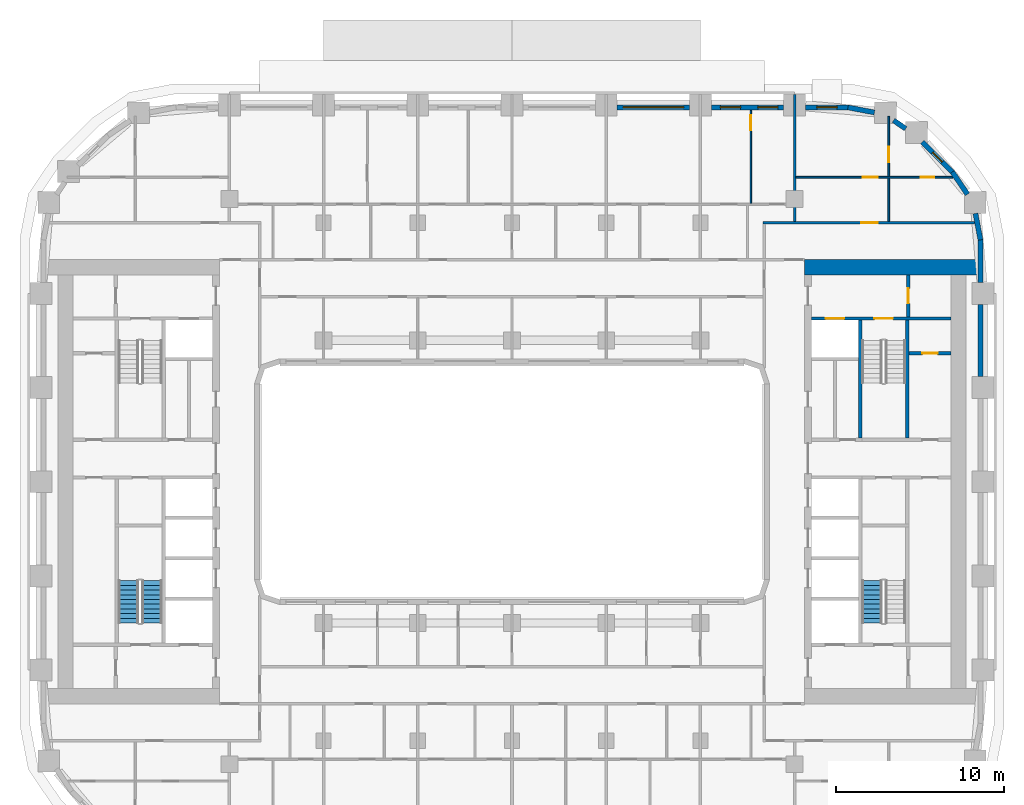
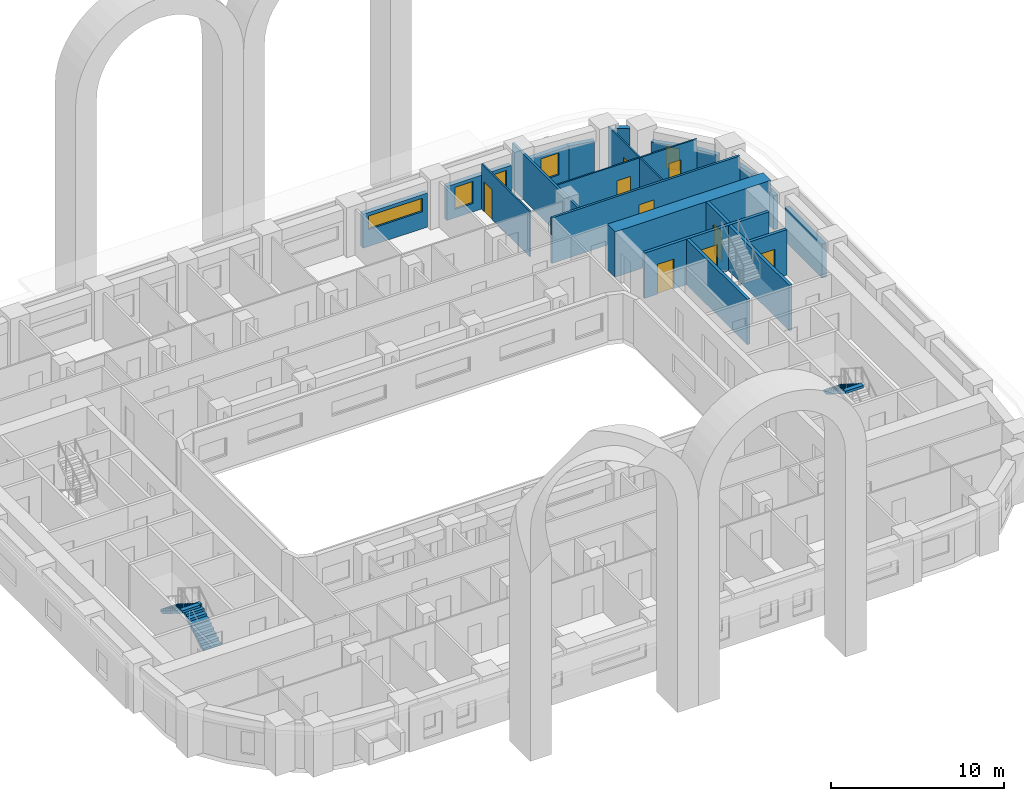
# One storey, part 10 of 19: 22 walls, 9 doors, 5 windows, 3 stair flights, 14 openings, 2 elements without a shape of their own.
"""IFC4 building model written with IfcOpenShell, lengths in metres."""

from ifc_helpers import new_model, si_unit, direction, frame, frame_2d, origin, place, context, subcontext, project, spatial, polyline, rectangle, outline, extrude, material, layer, layer_set, type_object, element, fill, aggregate, save


model = new_model("IFC4")

# Units and contexts
model_context = context("Model", 3, precision=1e-05, world=origin(), true_north=direction((0.0, 1.0)))
body_context = subcontext(model_context, "Body", "Model", "MODEL_VIEW")
ifc_project = project(units=[si_unit("LENGTHUNIT", "METRE"), si_unit("AREAUNIT", "SQUARE_METRE"), si_unit("VOLUMEUNIT", "CUBIC_METRE"), si_unit("PLANEANGLEUNIT", "RADIAN"), si_unit("MASSUNIT", "GRAM", prefix="KILO")], contexts=[model_context])

# Site, building, storey
site_placement = place(None, origin())
site = spatial("IfcSite", under=ifc_project, at=site_placement, CompositionType="ELEMENT")
building_placement = place(site_placement, origin())
building = spatial("IfcBuilding", under=site, at=building_placement, Name="Kiln Ring Residences", CompositionType="ELEMENT")
storey_placement = place(building_placement, frame((0.0, 0.0, 104.300048828125)))
storey = spatial("IfcBuildingStorey", under=building, at=storey_placement, Name="L26", CompositionType="ELEMENT", Elevation=104.300048828125)

# Wall, opening, door
ifc_material_1 = material(Name="Gypsum board on steel studs", Category="steel")
ifc_layer_1 = layer(ifc_material_1, 0.199951171875)
ifc_layer_set_1 = layer_set([ifc_layer_1], Name="CORE-PARTITION-200")
wall_type_1 = type_object("IfcWallType", Name="CORE-PARTITION-200", PredefinedType="PARTITIONING", material=ifc_layer_set_1)
wall_1_placement = place(storey_placement, frame((23.550048828125, 9.800048828125, 0.0), z_axis=(0.0, 0.0, 1.0), x_axis=(0.0, 1.0, 0.0)))
wall_1 = element("IfcWall", 1, at=wall_1_placement, inside=storey, type_object=wall_type_1, Name="Core partition east L26 4", PredefinedType="PARTITIONING", context=body_context, shape_type="SweptSolid", body=[
    extrude(rectangle(XDim=2.5, YDim=0.199951171875, at=frame_2d((1.25, 0.0))), origin(), (0.0, 0.0, 1.0), 3.199951171875),
])
opening_1_placement = place(wall_1_placement, frame((0.800048828125, 0.0, 0.0)))
opening_1 = element("IfcOpeningElement", 2, at=opening_1_placement, cuts=wall_1, Name="Opening L26-CE10", PredefinedType="OPENING", context=body_context, shape_type="SweptSolid", body=[
    extrude(rectangle(XDim=0.89990234375, YDim=2.10009765625, at=frame_2d((0.449951171875, 1.050048828125))), frame((0.0, 0.10986328125, 0.0), z_axis=(0.0, -1.0, 0.0), x_axis=(1.0, 0.0, 0.0)), (0.0, 0.0, 1.0), 0.219970703125),
])
ifc_material_2 = material(Name="Steel door leaf", Category="steel")
door_type_1 = type_object("IfcDoorType", Name="CORE-DOOR-ROOM", OperationType="SINGLE_SWING_LEFT", PredefinedType="DOOR", material=ifc_material_2)
door_1_placement = place(opening_1_placement, origin())
door_1 = element("IfcDoor", 3, at=door_1_placement, inside=storey, type_object=door_type_1, Name="Fire riser room L26-CE10", OperationType="SINGLE_SWING_LEFT", OverallHeight=2.10009765625, OverallWidth=0.89990234375, PredefinedType="DOOR", context=body_context, shape_type="SweptSolid", body=[
    extrude(rectangle(XDim=0.89990234375, YDim=2.10009765625, at=frame_2d((0.449951171875, 1.050048828125))), frame((0.0, 0.02490234375, 0.0), z_axis=(0.0, -1.0, 0.0), x_axis=(1.0, 0.0, 0.0)), (0.0, 0.0, 1.0), 0.050048828125),
])
fill(opening_1, door_1)

wall_2_placement = place(storey_placement, frame((23.60009765625, 7.639892578125, 0.0), z_axis=(0.0, 0.0, 1.0), x_axis=(1.0, 0.0, 0.0)))
wall_2 = element("IfcWall", 4, at=wall_2_placement, inside=storey, type_object=wall_type_1, Name="Core partition east L26 6", PredefinedType="PARTITIONING", context=body_context, shape_type="SweptSolid", body=[
    extrude(rectangle(XDim=2.5, YDim=0.199951171875, at=frame_2d((1.25, 0.0))), origin(), (0.0, 0.0, 1.0), 3.199951171875),
])
opening_2_placement = place(wall_2_placement, frame((0.800048828125, 0.0, 0.0)))
opening_2 = element("IfcOpeningElement", 5, at=opening_2_placement, cuts=wall_2, Name="Opening L26-CE17", PredefinedType="OPENING", context=body_context, shape_type="SweptSolid", body=[
    extrude(rectangle(XDim=0.89990234375, YDim=2.10009765625, at=frame_2d((0.449951171875, 1.050048828125))), frame((0.0, 0.10986328125, 0.0), z_axis=(0.0, -1.0, 0.0), x_axis=(1.0, 0.0, 0.0)), (0.0, 0.0, 1.0), 0.219970703125),
])
door_2_placement = place(opening_2_placement, origin())
door_2 = element("IfcDoor", 6, at=door_2_placement, inside=storey, type_object=door_type_1, Name="UPS room L26-CE17", OperationType="SINGLE_SWING_LEFT", OverallHeight=2.10009765625, OverallWidth=0.89990234375, PredefinedType="DOOR", context=body_context, shape_type="SweptSolid", body=[
    extrude(rectangle(XDim=0.89990234375, YDim=2.10009765625, at=frame_2d((0.449951171875, 1.050048828125))), frame((0.0, 0.02490234375, 0.0), z_axis=(0.0, -1.0, 0.0), x_axis=(1.0, 0.0, 0.0)), (0.0, 0.0, 1.0), 0.050048828125),
])
fill(opening_2, door_2)

# Wall
ifc_material_3 = material(Name="Concrete C40/50", Category="concrete")
ifc_layer_2 = layer(ifc_material_3, 0.199951171875)
ifc_layer_set_2 = layer_set([ifc_layer_2], Name="CORE-WALL-RC200")
wall_type_2 = type_object("IfcWallType", Name="CORE-WALL-RC200", PredefinedType="SHEAR", material=ifc_layer_set_2)
wall_3_placement = place(storey_placement, frame((20.699951171875, 2.60009765625, 0.0), z_axis=(0.0, 0.0, 1.0), x_axis=(0.0, 1.0, 0.0)))
element("IfcWall", 7, at=wall_3_placement, inside=storey, type_object=wall_type_2, Name="Core wall east L26 1", PredefinedType="SHEAR", context=body_context, shape_type="SweptSolid", body=[
    extrude(rectangle(XDim=7.0, YDim=0.199951171875, at=frame_2d((3.5, 0.0))), origin(), (0.0, 0.0, 1.0), 3.199951171875),
])

# Wall, openings, doors
wall_4_placement = place(storey_placement, frame((17.800048828125, 9.699951171875, 0.0), z_axis=(0.0, 0.0, 1.0), x_axis=(1.0, 0.0, 0.0)))
wall_4 = element("IfcWall", 8, at=wall_4_placement, inside=storey, type_object=wall_type_2, Name="Core wall east L26 9", PredefinedType="SHEAR", context=body_context, shape_type="SweptSolid", body=[
    extrude(rectangle(XDim=8.300048828125, YDim=0.199951171875, at=frame_2d((4.14990234375, 0.0))), origin(), (0.0, 0.0, 1.0), 3.199951171875),
])
opening_3_placement = place(wall_4_placement, frame((0.85009765625, 0.0, 0.0)))
opening_3 = element("IfcOpeningElement", 9, at=opening_3_placement, cuts=wall_4, Name="Opening L26-CE07", PredefinedType="OPENING", context=body_context, shape_type="SweptSolid", body=[
    extrude(rectangle(XDim=1.10009765625, YDim=2.10009765625, at=frame_2d((0.550048828125, 1.050048828125))), frame((0.0, 0.10986328125, 0.0), z_axis=(0.0, -1.0, 0.0), x_axis=(1.0, 0.0, 0.0)), (0.0, 0.0, 1.0), 0.219970703125),
])
opening_4_placement = place(wall_4_placement, frame((3.75, 0.0, 0.0)))
opening_4 = element("IfcOpeningElement", 10, at=opening_4_placement, cuts=wall_4, Name="Opening L26-CE12", PredefinedType="OPENING", context=body_context, shape_type="SweptSolid", body=[
    extrude(rectangle(XDim=1.10009765625, YDim=2.10009765625, at=frame_2d((0.550048828125, 1.050048828125))), frame((0.0, 0.10986328125, 0.0), z_axis=(0.0, -1.0, 0.0), x_axis=(1.0, 0.0, 0.0)), (0.0, 0.0, 1.0), 0.219970703125),
])
ifc_material_4 = material(Name="Steel door leaf", Category="steel")
door_type_2 = type_object("IfcDoorType", Name="CORE-DOOR-LD", OperationType="DOUBLE_DOOR_SLIDING", PredefinedType="DOOR", material=ifc_material_4)
door_3_placement = place(opening_3_placement, origin())
door_3 = element("IfcDoor", 11, at=door_3_placement, inside=storey, type_object=door_type_2, Name="LD E-FF L26-CE07", OperationType="DOUBLE_DOOR_SLIDING", OverallHeight=2.10009765625, OverallWidth=1.10009765625, PredefinedType="DOOR", context=body_context, shape_type="SweptSolid", body=[
    extrude(rectangle(XDim=1.10009765625, YDim=2.10009765625, at=frame_2d((0.550048828125, 1.050048828125))), frame((0.0, 0.02490234375, 0.0), z_axis=(0.0, -1.0, 0.0), x_axis=(1.0, 0.0, 0.0)), (0.0, 0.0, 1.0), 0.050048828125),
])
fill(opening_3, door_3)
ifc_material_5 = material(Name="Steel door leaf", Category="steel")
door_type_3 = type_object("IfcDoorType", Name="CORE-DOOR-STAIR", OperationType="SINGLE_SWING_LEFT", PredefinedType="DOOR", material=ifc_material_5)
door_4_placement = place(opening_4_placement, origin())
door_4 = element("IfcDoor", 12, at=door_4_placement, inside=storey, type_object=door_type_3, Name="Stair E-STN L26-CE12", OperationType="SINGLE_SWING_LEFT", OverallHeight=2.10009765625, OverallWidth=1.10009765625, PredefinedType="DOOR", context=body_context, shape_type="SweptSolid", body=[
    extrude(rectangle(XDim=1.10009765625, YDim=2.10009765625, at=frame_2d((0.550048828125, 1.050048828125))), frame((0.0, 0.02490234375, 0.0), z_axis=(0.0, -1.0, 0.0), x_axis=(1.0, 0.0, 0.0)), (0.0, 0.0, 1.0), 0.050048828125),
])
fill(opening_4, door_4)

# Walls
wall_5_placement = place(storey_placement, frame((23.5, 2.60009765625, 0.0), z_axis=(0.0, 0.0, 1.0), x_axis=(0.0, 1.0, 0.0)))
element("IfcWall", 13, at=wall_5_placement, inside=storey, type_object=wall_type_2, Name="Core wall east L26 10", PredefinedType="SHEAR", context=body_context, shape_type="SweptSolid", body=[
    extrude(rectangle(XDim=7.0, YDim=0.199951171875, at=frame_2d((3.5, 0.0))), origin(), (0.0, 0.0, 1.0), 3.199951171875),
])
ifc_material_6 = material(Name="Concrete C60/75", Category="concrete")
ifc_layer_3 = layer(ifc_material_6, 0.89990234375)
ifc_layer_set_3 = layer_set([ifc_layer_3], Name="CORE-WALL-RC900")
wall_type_3 = type_object("IfcWallType", Name="CORE-WALL-RC900", PredefinedType="SHEAR", material=ifc_layer_set_3)
wall_6_placement = place(storey_placement, frame((17.39990234375, 12.75, 0.0), z_axis=(0.0, 0.0, 1.0), x_axis=(1.0, 0.0, 0.0)))
element("IfcWall", 14, at=wall_6_placement, inside=storey, type_object=wall_type_3, Name="Core wall east L26 4", PredefinedType="SHEAR", context=body_context, shape_type="SweptSolid", body=[
    extrude(rectangle(XDim=10.400146484375, YDim=0.89990234375, at=frame_2d((5.2001953125, 0.0))), origin(), (0.0, 0.0, 1.0), 3.199951171875),
])
ifc_material_7 = material(Name="Brick masonry, dark clay brick", Category="masonry")
ifc_layer_4 = layer(ifc_material_7, 0.300048828125)
ifc_layer_set_4 = layer_set([ifc_layer_4], Name="EW-300 BRICK WALL")
wall_type_4 = type_object("IfcWallType", Name="EW-300 BRICK WALL", PredefinedType="SOLIDWALL", material=ifc_layer_set_4)
wall_7_placement = place(storey_placement, frame((27.85009765625, 6.25, 0.0), z_axis=(0.0, 0.0, 1.0), x_axis=(0.0, 1.0, 0.0)))
element("IfcWall", 15, at=wall_7_placement, inside=storey, type_object=wall_type_4, Name="Facade wall L26 21", PredefinedType="SOLIDWALL", context=body_context, shape_type="SweptSolid", body=[
    extrude(rectangle(XDim=4.300048828125, YDim=0.300048828125, at=frame_2d((2.14990234375, 0.0))), origin(), (0.0, 0.0, 1.0), 2.39990234375),
])
wall_8_placement = place(storey_placement, frame((27.85009765625, 11.85009765625, 0.0), z_axis=(0.0, 0.0, 1.0), x_axis=(0.0, 1.0, 0.0)))
element("IfcWall", 16, at=wall_8_placement, inside=storey, type_object=wall_type_4, Name="Facade wall L26 22", PredefinedType="SOLIDWALL", context=body_context, shape_type="SweptSolid", body=[
    extrude(rectangle(XDim=2.5498046875, YDim=0.300048828125, at=frame_2d((1.27490234375, 0.0))), origin(), (0.0, 0.0, 1.0), 2.39990234375),
])
for number, where, z_axis, x_axis, name in (
    (17, (27.8525390625, 14.371826171875, 0.0), (0.0, 0.0, 1.0), (-0.187279751651, 0.982306619453, 0.0), "Facade wall L26 23"),
    (18, (27.08154296875, 17.08447265625, 0.0), (0.0, 0.0, 1.0), (-0.562010605531, 0.827130025613, 0.0), "Facade wall L26 24"),
):
    element("IfcWall", number, at=place(storey_placement, frame(where, z_axis=z_axis, x_axis=x_axis)), inside=storey, type_object=wall_type_4, Name=name, PredefinedType="SOLIDWALL", context=body_context, shape_type="SweptSolid", body=[
        extrude(rectangle(XDim=1.60595703125, YDim=0.300048828125, at=frame_2d((0.802978515625, 0.0))), origin(), (0.0, 0.0, 1.0), 2.39990234375),
    ])

# Wall, opening, window
wall_9_placement = place(storey_placement, frame((26.19677734375, 18.390869140625, 0.0), z_axis=(0.0, 0.0, 1.0), x_axis=(-0.707058908279, 0.707154650853, 0.0)))
wall_9 = element("IfcWall", 19, at=wall_9_placement, inside=storey, type_object=wall_type_4, Name="Facade wall L26 25", PredefinedType="SOLIDWALL", context=body_context, shape_type="SweptSolid", body=[
    extrude(rectangle(XDim=2.550048828125, YDim=0.300048828125, at=frame_2d((1.27490234375, 0.0))), origin(), (0.0, 0.0, 1.0), 2.39990234375),
])
opening_5_placement = place(wall_9_placement, frame((0.875, 0.0, 0.60009765625)))
opening_5 = element("IfcOpeningElement", 20, at=opening_5_placement, cuts=wall_9, Name="Opening W5", PredefinedType="OPENING", context=body_context, shape_type="SweptSolid", body=[
    extrude(rectangle(XDim=0.800048828125, YDim=1.550048828125, at=frame_2d((0.39990234375, 0.77490234375))), frame((0.0, 0.159912109375, 0.0), z_axis=(0.0, -1.0, 0.0), x_axis=(1.0, 0.0, 0.0)), (0.0, 0.0, 1.0), 0.320068359375),
])
ifc_material_8 = material(Name="Aluminium frame with double glazing", Category="aluminium")
window_type_1 = type_object("IfcWindowType", Name="WINDOW 800 x 1550", PartitioningType="SINGLE_PANEL", PredefinedType="WINDOW", material=ifc_material_8)
window_1_placement = place(opening_5_placement, origin())
window_1 = element("IfcWindow", 21, at=window_1_placement, inside=storey, type_object=window_type_1, Name="Window L26 14", OverallHeight=1.550048828125, OverallWidth=0.800048828125, PartitioningType="SINGLE_PANEL", PredefinedType="WINDOW", context=body_context, shape_type="SweptSolid", body=[
    extrude(rectangle(XDim=0.800048828125, YDim=1.550048828125, at=frame_2d((0.39990234375, 0.77490234375))), frame((0.0, 0.030029296875, 0.0), z_axis=(0.0, -1.0, 0.0), x_axis=(1.0, 0.0, 0.0)), (0.0, 0.0, 1.0), 0.06005859375),
])
fill(opening_5, window_1)

# Walls
wall_10_placement = place(storey_placement, frame((23.409912109375, 20.988525390625, 0.0), z_axis=(0.0, 0.0, 1.0), x_axis=(-0.827050703543, 0.562127328787, 0.0)))
element("IfcWall", 22, at=wall_10_placement, inside=storey, type_object=wall_type_4, Name="Facade wall L26 26", PredefinedType="SOLIDWALL", context=body_context, shape_type="SweptSolid", body=[
    extrude(rectangle(XDim=0.877197265625, YDim=0.300048828125, at=frame_2d((0.4384765625, 0.0))), origin(), (0.0, 0.0, 1.0), 3.199951171875),
])
wall_11_placement = place(storey_placement, frame((21.549560546875, 21.95166015625, 0.0), z_axis=(0.0, 0.0, 1.0), x_axis=(-0.982278644094, 0.187426426519, 0.0)))
element("IfcWall", 23, at=wall_11_placement, inside=storey, type_object=wall_type_4, Name="Facade wall L26 27", PredefinedType="SOLIDWALL", context=body_context, shape_type="SweptSolid", body=[
    extrude(rectangle(XDim=1.606201171875, YDim=0.300048828125, at=frame_2d((0.80322265625, 0.0))), origin(), (0.0, 0.0, 1.0), 2.39990234375),
])

# Wall, opening, window
wall_12_placement = place(storey_placement, frame((20.0, 22.25, 0.0), z_axis=(0.0, 0.0, 1.0), x_axis=(-1.0, 0.0, 0.0)))
wall_12 = element("IfcWall", 24, at=wall_12_placement, inside=storey, type_object=wall_type_4, Name="Facade wall L26 28", PredefinedType="SOLIDWALL", context=body_context, shape_type="SweptSolid", body=[
    extrude(rectangle(XDim=2.550048828125, YDim=0.300048828125, at=frame_2d((1.27490234375, 0.0))), origin(), (0.0, 0.0, 1.0), 2.39990234375),
])
opening_6_placement = place(wall_12_placement, frame((0.675048828125, 0.0, 0.60009765625)))
opening_6 = element("IfcOpeningElement", 25, at=opening_6_placement, cuts=wall_12, Name="Opening W1", PredefinedType="OPENING", context=body_context, shape_type="SweptSolid", body=[
    extrude(rectangle(XDim=1.199951171875, YDim=1.550048828125, at=frame_2d((0.60009765625, 0.77490234375))), frame((0.0, 0.159912109375, 0.0), z_axis=(0.0, -1.0, 0.0), x_axis=(1.0, 0.0, 0.0)), (0.0, 0.0, 1.0), 0.320068359375),
])
ifc_material_9 = material(Name="Aluminium frame with double glazing", Category="aluminium")
window_type_2 = type_object("IfcWindowType", Name="WINDOW 1200 x 1550", PartitioningType="SINGLE_PANEL", PredefinedType="WINDOW", material=ifc_material_9)
window_2_placement = place(opening_6_placement, origin())
window_2 = element("IfcWindow", 26, at=window_2_placement, inside=storey, type_object=window_type_2, Name="Window L26 15", OverallHeight=1.550048828125, OverallWidth=1.199951171875, PartitioningType="SINGLE_PANEL", PredefinedType="WINDOW", context=body_context, shape_type="SweptSolid", body=[
    extrude(rectangle(XDim=1.199951171875, YDim=1.550048828125, at=frame_2d((0.60009765625, 0.77490234375))), frame((0.0, 0.030029296875, 0.0), z_axis=(0.0, -1.0, 0.0), x_axis=(1.0, 0.0, 0.0)), (0.0, 0.0, 1.0), 0.06005859375),
])
fill(opening_6, window_2)

# Wall, openings, windows
wall_13_placement = place(storey_placement, frame((16.14990234375, 22.25, 0.0), z_axis=(0.0, 0.0, 1.0), x_axis=(-1.0, 0.0, 0.0)))
wall_13 = element("IfcWall", 27, at=wall_13_placement, inside=storey, type_object=wall_type_4, Name="Facade wall L26 29", PredefinedType="SOLIDWALL", context=body_context, shape_type="SweptSolid", body=[
    extrude(rectangle(XDim=4.2998046875, YDim=0.300048828125, at=frame_2d((2.14990234375, 0.0))), origin(), (0.0, 0.0, 1.0), 2.39990234375),
])
opening_7_placement = place(wall_13_placement, frame((0.33740234375, 0.0, 0.60009765625)))
opening_7 = element("IfcOpeningElement", 28, at=opening_7_placement, cuts=wall_13, Name="Opening W1", PredefinedType="OPENING", context=body_context, shape_type="SweptSolid", body=[
    extrude(rectangle(XDim=1.199951171875, YDim=1.550048828125, at=frame_2d((0.60009765625, 0.77490234375))), frame((0.0, 0.159912109375, 0.0), z_axis=(0.0, -1.0, 0.0), x_axis=(1.0, 0.0, 0.0)), (0.0, 0.0, 1.0), 0.320068359375),
])
opening_8_placement = place(wall_13_placement, frame((2.5625, 0.0, 0.60009765625)))
opening_8 = element("IfcOpeningElement", 29, at=opening_8_placement, cuts=wall_13, Name="Opening W1", PredefinedType="OPENING", context=body_context, shape_type="SweptSolid", body=[
    extrude(rectangle(XDim=1.199951171875, YDim=1.550048828125, at=frame_2d((0.60009765625, 0.77490234375))), frame((0.0, 0.159912109375, 0.0), z_axis=(0.0, -1.0, 0.0), x_axis=(1.0, 0.0, 0.0)), (0.0, 0.0, 1.0), 0.320068359375),
])
window_3_placement = place(opening_7_placement, origin())
window_3 = element("IfcWindow", 30, at=window_3_placement, inside=storey, type_object=window_type_2, Name="Window L26 16", OverallHeight=1.550048828125, OverallWidth=1.199951171875, PartitioningType="SINGLE_PANEL", PredefinedType="WINDOW", context=body_context, shape_type="SweptSolid", body=[
    extrude(rectangle(XDim=1.199951171875, YDim=1.550048828125, at=frame_2d((0.60009765625, 0.77490234375))), frame((0.0, 0.030029296875, 0.0), z_axis=(0.0, -1.0, 0.0), x_axis=(1.0, 0.0, 0.0)), (0.0, 0.0, 1.0), 0.06005859375),
])
fill(opening_7, window_3)
window_4_placement = place(opening_8_placement, origin())
window_4 = element("IfcWindow", 31, at=window_4_placement, inside=storey, type_object=window_type_2, Name="Window L26 17", OverallHeight=1.550048828125, OverallWidth=1.199951171875, PartitioningType="SINGLE_PANEL", PredefinedType="WINDOW", context=body_context, shape_type="SweptSolid", body=[
    extrude(rectangle(XDim=1.199951171875, YDim=1.550048828125, at=frame_2d((0.60009765625, 0.77490234375))), frame((0.0, 0.030029296875, 0.0), z_axis=(0.0, -1.0, 0.0), x_axis=(1.0, 0.0, 0.0)), (0.0, 0.0, 1.0), 0.06005859375),
])
fill(opening_8, window_4)

# Wall, opening, window
wall_14_placement = place(storey_placement, frame((10.550048828125, 22.25, 0.0), z_axis=(0.0, 0.0, 1.0), x_axis=(-1.0, 0.0, 0.0)))
wall_14 = element("IfcWall", 32, at=wall_14_placement, inside=storey, type_object=wall_type_4, Name="Facade wall L26 30", PredefinedType="SOLIDWALL", context=body_context, shape_type="SweptSolid", body=[
    extrude(rectangle(XDim=4.300048828125, YDim=0.300048828125, at=frame_2d((2.14990234375, 0.0))), origin(), (0.0, 0.0, 1.0), 2.39990234375),
])
opening_9_placement = place(wall_14_placement, frame((0.35009765625, 0.0, 1.199951171875)))
opening_9 = element("IfcOpeningElement", 33, at=opening_9_placement, cuts=wall_14, Name="Opening W4", PredefinedType="OPENING", context=body_context, shape_type="SweptSolid", body=[
    extrude(rectangle(XDim=3.60009765625, YDim=0.949951171875, at=frame_2d((1.800048828125, 0.47509765625))), frame((0.0, 0.159912109375, 0.0), z_axis=(0.0, -1.0, 0.0), x_axis=(1.0, 0.0, 0.0)), (0.0, 0.0, 1.0), 0.320068359375),
])
ifc_material_10 = material(Name="Aluminium frame with double glazing", Category="aluminium")
window_type_3 = type_object("IfcWindowType", Name="WINDOW 3600 x 950", PartitioningType="SINGLE_PANEL", PredefinedType="WINDOW", material=ifc_material_10)
window_5_placement = place(opening_9_placement, origin())
window_5 = element("IfcWindow", 34, at=window_5_placement, inside=storey, type_object=window_type_3, Name="Window L26 18", OverallHeight=0.949951171875, OverallWidth=3.60009765625, PartitioningType="SINGLE_PANEL", PredefinedType="WINDOW", context=body_context, shape_type="SweptSolid", body=[
    extrude(rectangle(XDim=3.60009765625, YDim=0.949951171875, at=frame_2d((1.800048828125, 0.47509765625))), frame((0.0, 0.030029296875, 0.0), z_axis=(0.0, -1.0, 0.0), x_axis=(1.0, 0.0, 0.0)), (0.0, 0.0, 1.0), 0.06005859375),
])
fill(opening_9, window_5)

# Wall, openings, doors
ifc_material_11 = material(Name="Gypsum board on steel studs", Category="steel")
ifc_layer_5 = layer(ifc_material_11, 0.10009765625)
ifc_layer_set_5 = layer_set([ifc_layer_5], Name="PARTITION-100")
wall_type_5 = type_object("IfcWallType", Name="PARTITION-100", PredefinedType="PARTITIONING", material=ifc_layer_set_5)
wall_15_placement = place(storey_placement, frame((16.875, 18.10009765625, 0.0), z_axis=(0.0, 0.0, 1.0), x_axis=(1.0, 0.0, 0.0)))
wall_15 = element("IfcWall", 35, at=wall_15_placement, inside=storey, type_object=wall_type_5, Name="Partition 013", PredefinedType="PARTITIONING", context=body_context, shape_type="SweptSolid", body=[
    extrude(rectangle(XDim=9.315185546875, YDim=0.10009765625, at=frame_2d((4.65771484375, 0.0))), origin(), (0.0, 0.0, 1.0), 3.199951171875),
])
opening_10_placement = place(wall_15_placement, frame((7.425048828125, 0.0, 0.0)))
opening_10 = element("IfcOpeningElement", 36, at=opening_10_placement, cuts=wall_15, Name="Opening L26-D036", PredefinedType="OPENING", context=body_context, shape_type="SweptSolid", body=[
    extrude(rectangle(XDim=0.800048828125, YDim=2.10009765625, at=frame_2d((0.39990234375, 1.050048828125))), frame((0.0, 0.06005859375, 0.0), z_axis=(0.0, -1.0, 0.0), x_axis=(1.0, 0.0, 0.0)), (0.0, 0.0, 1.0), 0.1201171875),
])
opening_11_placement = place(wall_15_placement, frame((3.97509765625, 0.0, 0.0)))
opening_11 = element("IfcOpeningElement", 37, at=opening_11_placement, cuts=wall_15, Name="Opening L26-D037", PredefinedType="OPENING", context=body_context, shape_type="SweptSolid", body=[
    extrude(rectangle(XDim=0.89990234375, YDim=2.10009765625, at=frame_2d((0.449951171875, 1.050048828125))), frame((0.0, 0.06005859375, 0.0), z_axis=(0.0, -1.0, 0.0), x_axis=(1.0, 0.0, 0.0)), (0.0, 0.0, 1.0), 0.1201171875),
])
ifc_material_12 = material(Name="Timber door leaf", Category="wood")
door_type_4 = type_object("IfcDoorType", Name="FLAT-DOOR-800-PL", OperationType="SINGLE_SWING_LEFT", PredefinedType="DOOR", material=ifc_material_12)
door_5_placement = place(opening_10_placement, origin())
door_5 = element("IfcDoor", 38, at=door_5_placement, inside=storey, type_object=door_type_4, Name="Door L26-D036", OperationType="SINGLE_SWING_RIGHT", OverallHeight=2.10009765625, OverallWidth=0.800048828125, PredefinedType="DOOR", context=body_context, shape_type="SweptSolid", body=[
    extrude(rectangle(XDim=0.800048828125, YDim=2.10009765625, at=frame_2d((0.39990234375, 1.050048828125))), frame((0.0, 0.02490234375, 0.0), z_axis=(0.0, -1.0, 0.0), x_axis=(1.0, 0.0, 0.0)), (0.0, 0.0, 1.0), 0.050048828125),
])
fill(opening_10, door_5)
ifc_material_13 = material(Name="Timber door leaf", Category="wood")
door_type_5 = type_object("IfcDoorType", Name="FLAT-DOOR-900-PL", OperationType="SINGLE_SWING_LEFT", PredefinedType="DOOR", material=ifc_material_13)
door_6_placement = place(opening_11_placement, origin())
door_6 = element("IfcDoor", 39, at=door_6_placement, inside=storey, type_object=door_type_5, Name="Door L26-D037", OperationType="SINGLE_SWING_LEFT", OverallHeight=2.10009765625, OverallWidth=0.89990234375, PredefinedType="DOOR", context=body_context, shape_type="SweptSolid", body=[
    extrude(rectangle(XDim=0.89990234375, YDim=2.10009765625, at=frame_2d((0.449951171875, 1.050048828125))), frame((0.0, 0.02490234375, 0.0), z_axis=(0.0, -1.0, 0.0), x_axis=(1.0, 0.0, 0.0)), (0.0, 0.0, 1.0), 0.050048828125),
])
fill(opening_11, door_6)

# Wall, opening, door
wall_16_placement = place(storey_placement, frame((14.199951171875, 16.550048828125, 0.0), z_axis=(0.0, 0.0, 1.0), x_axis=(0.0, 1.0, 0.0)))
wall_16 = element("IfcWall", 40, at=wall_16_placement, inside=storey, type_object=wall_type_5, Name="Partition 073", PredefinedType="PARTITIONING", context=body_context, shape_type="SweptSolid", body=[
    extrude(rectangle(XDim=5.530029296875, YDim=0.10009765625, at=frame_2d((2.76513671875, 0.0))), origin(), (0.0, 0.0, 1.0), 3.199951171875),
])
opening_12_placement = place(wall_16_placement, frame((4.35009765625, 0.0, 0.0)))
opening_12 = element("IfcOpeningElement", 41, at=opening_12_placement, cuts=wall_16, Name="Opening L26-D034", PredefinedType="OPENING", context=body_context, shape_type="SweptSolid", body=[
    extrude(rectangle(XDim=0.89990234375, YDim=2.10009765625, at=frame_2d((0.449951171875, 1.050048828125))), frame((0.0, 0.06005859375, 0.0), z_axis=(0.0, -1.0, 0.0), x_axis=(1.0, 0.0, 0.0)), (0.0, 0.0, 1.0), 0.1201171875),
])
door_7_placement = place(opening_12_placement, origin())
door_7 = element("IfcDoor", 42, at=door_7_placement, inside=storey, type_object=door_type_5, Name="Door L26-D034", OperationType="SINGLE_SWING_RIGHT", OverallHeight=2.10009765625, OverallWidth=0.89990234375, PredefinedType="DOOR", context=body_context, shape_type="SweptSolid", body=[
    extrude(rectangle(XDim=0.89990234375, YDim=2.10009765625, at=frame_2d((0.449951171875, 1.050048828125))), frame((0.0, 0.02490234375, 0.0), z_axis=(0.0, -1.0, 0.0), x_axis=(1.0, 0.0, 0.0)), (0.0, 0.0, 1.0), 0.050048828125),
])
fill(opening_12, door_7)

# Wall
wall_17_placement = place(storey_placement, frame((22.39990234375, 15.47509765625, 0.0), z_axis=(0.0, 0.0, 1.0), x_axis=(0.0, 1.0, 0.0)))
element("IfcWall", 43, at=wall_17_placement, inside=storey, type_object=wall_type_5, Name="Partition 082", PredefinedType="PARTITIONING", context=body_context, shape_type="SweptSolid", body=[
    extrude(rectangle(XDim=2.574951171875, YDim=0.10009765625, at=frame_2d((1.28759765625, 0.0))), origin(), (0.0, 0.0, 1.0), 3.199951171875),
])

# Wall, opening, door
wall_18_placement = place(storey_placement, frame((22.39990234375, 18.14990234375, 0.0), z_axis=(0.0, 0.0, 1.0), x_axis=(0.0, 1.0, 0.0)))
wall_18 = element("IfcWall", 44, at=wall_18_placement, inside=storey, type_object=wall_type_5, Name="Partition 083", PredefinedType="PARTITIONING", context=body_context, shape_type="SweptSolid", body=[
    extrude(rectangle(XDim=3.570068359375, YDim=0.10009765625, at=frame_2d((1.78515625, 0.0))), origin(), (0.0, 0.0, 1.0), 3.199951171875),
])
opening_13_placement = place(wall_18_placement, frame((0.85009765625, 0.0, 0.0)))
opening_13 = element("IfcOpeningElement", 45, at=opening_13_placement, cuts=wall_18, Name="Opening L26-D038", PredefinedType="OPENING", context=body_context, shape_type="SweptSolid", body=[
    extrude(rectangle(XDim=0.89990234375, YDim=2.10009765625, at=frame_2d((0.449951171875, 1.050048828125))), frame((0.0, 0.06005859375, 0.0), z_axis=(0.0, -1.0, 0.0), x_axis=(1.0, 0.0, 0.0)), (0.0, 0.0, 1.0), 0.1201171875),
])
door_8_placement = place(opening_13_placement, origin())
door_8 = element("IfcDoor", 46, at=door_8_placement, inside=storey, type_object=door_type_5, Name="Door L26-D038", OperationType="SINGLE_SWING_LEFT", OverallHeight=2.10009765625, OverallWidth=0.89990234375, PredefinedType="DOOR", context=body_context, shape_type="SweptSolid", body=[
    extrude(rectangle(XDim=0.89990234375, YDim=2.10009765625, at=frame_2d((0.449951171875, 1.050048828125))), frame((0.0, 0.02490234375, 0.0), z_axis=(0.0, -1.0, 0.0), x_axis=(1.0, 0.0, 0.0)), (0.0, 0.0, 1.0), 0.050048828125),
])
fill(opening_13, door_8)

ifc_material_14 = material(Name="Brick masonry partition", Category="masonry")
ifc_layer_6 = layer(ifc_material_14, 0.14990234375)
ifc_layer_set_6 = layer_set([ifc_layer_6], Name="PARTITION-150-ei60")
wall_type_6 = type_object("IfcWallType", Name="PARTITION-150-ei60", PredefinedType="PARTITIONING", material=ifc_layer_set_6)
wall_19_placement = place(storey_placement, frame((14.925048828125, 15.39990234375, 0.0), z_axis=(0.0, 0.0, 1.0), x_axis=(1.0, 0.0, 0.0)))
wall_19 = element("IfcWall", 47, at=wall_19_placement, inside=storey, type_object=wall_type_6, Name="Partition 010", PredefinedType="PARTITIONING", context=body_context, shape_type="SweptSolid", body=[
    extrude(rectangle(XDim=12.558837890625, YDim=0.14990234375, at=frame_2d((6.279296875, 0.0))), origin(), (0.0, 0.0, 1.0), 3.199951171875),
])
opening_14_placement = place(wall_19_placement, frame((5.824951171875, 0.0, 0.0)))
opening_14 = element("IfcOpeningElement", 48, at=opening_14_placement, cuts=wall_19, Name="Opening L26-D035", PredefinedType="OPENING", context=body_context, shape_type="SweptSolid", body=[
    extrude(rectangle(XDim=1.0, YDim=2.10009765625, at=frame_2d((0.5, 1.050048828125))), frame((0.0, 0.0849609375, 0.0), z_axis=(0.0, -1.0, 0.0), x_axis=(1.0, 0.0, 0.0)), (0.0, 0.0, 1.0), 0.169921875),
])
ifc_material_15 = material(Name="Steel faced fire door leaf", Category="steel")
door_type_6 = type_object("IfcDoorType", Name="FLAT-DOOR-1000-FR", OperationType="SINGLE_SWING_LEFT", PredefinedType="DOOR", material=ifc_material_15)
door_9_placement = place(opening_14_placement, origin())
door_9 = element("IfcDoor", 49, at=door_9_placement, inside=storey, type_object=door_type_6, Name="Door L26-D035", OperationType="SINGLE_SWING_LEFT", OverallHeight=2.10009765625, OverallWidth=1.0, PredefinedType="DOOR", context=body_context, shape_type="SweptSolid", body=[
    extrude(rectangle(XDim=1.0, YDim=2.10009765625, at=frame_2d((0.5, 1.050048828125))), frame((0.0, 0.02490234375, 0.0), z_axis=(0.0, -1.0, 0.0), x_axis=(1.0, 0.0, 0.0)), (0.0, 0.0, 1.0), 0.050048828125),
])
fill(opening_14, door_9)

# Wall
wall_20_placement = place(storey_placement, frame((16.800048828125, 15.47509765625, 0.0), z_axis=(0.0, 0.0, 1.0), x_axis=(0.0, 1.0, 0.0)))
element("IfcWall", 50, at=wall_20_placement, inside=storey, type_object=wall_type_6, Name="Partition 079", PredefinedType="PARTITIONING", context=body_context, shape_type="SweptSolid", body=[
    extrude(rectangle(XDim=7.554931640625, YDim=0.14990234375, at=frame_2d((3.77734375, 0.0))), origin(), (0.0, 0.0, 1.0), 3.199951171875),
])

# Stair, stair flights
ifc_material_16 = material(Name="Concrete C40/50", Category="concrete")
stair_type = type_object("IfcStairType", Name="CORE-STAIR", PredefinedType="HALF_TURN_STAIR", material=ifc_material_16)
placement = place(storey_placement, origin())
stair_1 = element("IfcStair", 51, at=placement, inside=storey, type_object=stair_type, Name="L26 stair W-STS", PredefinedType="HALF_TURN_STAIR")
ifc_material_17 = material(Name="Concrete C40/50", Category="concrete")
stair_flight_type = type_object("IfcStairFlightType", Name="CORE-STAIR-FLIGHT", PredefinedType="STRAIGHT", material=ifc_material_17)
stair_flight_1_placement = place(storey_placement, frame((-21.39990234375, -8.39990234375, 0.0), z_axis=(0.0, 0.0, 1.0), x_axis=(0.0, 1.0, 0.0)))
stair_flight_1 = element("IfcStairFlight", 52, at=stair_flight_1_placement, type_object=stair_flight_type, Name="W-STS flight 1", NumberOfRisers=10, NumberOfTreads=9, PredefinedType="STRAIGHT", RiserHeight=0.175, TreadLength=0.28, context=body_context, shape_type="SweptSolid", body=[
    extrude(outline(polyline([(0.0, 0.0), (0.0, 0.175048828125), (0.280029296875, 0.175048828125), (0.280029296875, 0.35009765625), (0.56005859375, 0.35009765625), (0.56005859375, 0.52490234375), (0.840087890625, 0.52490234375), (0.840087890625, 0.699951171875), (1.1201171875, 0.699951171875), (1.1201171875, 0.875), (1.39990234375, 0.875), (1.39990234375, 1.050048828125), (1.679931640625, 1.050048828125), (1.679931640625, 1.22509765625), (1.9599609375, 1.22509765625), (1.9599609375, 1.39990234375), (2.239990234375, 1.39990234375), (2.239990234375, 1.574951171875), (2.52001953125, 1.574951171875), (2.52001953125, 1.75), (2.52001953125, 1.398193359375), (0.28271484375, 0.0), (0.0, 0.0)])), frame((0.0, 0.60009765625, 0.0), z_axis=(0.0, -1.0, 0.0), x_axis=(1.0, 0.0, 0.0)), (0.0, 0.0, 1.0), 1.199951171875),
])
stair_flight_2_placement = place(storey_placement, frame((-22.800048828125, -5.8798828125, 1.75), z_axis=(0.0, 0.0, 1.0), x_axis=(0.0, -1.0, 0.0)))
stair_flight_2 = element("IfcStairFlight", 53, at=stair_flight_2_placement, type_object=stair_flight_type, Name="W-STS flight 2", NumberOfRisers=10, NumberOfTreads=9, PredefinedType="STRAIGHT", RiserHeight=0.175, TreadLength=0.28, context=body_context, shape_type="SweptSolid", body=[
    extrude(outline(polyline([(0.0, 0.0), (0.0, 0.175048828125), (0.280029296875, 0.175048828125), (0.280029296875, 0.35009765625), (0.56005859375, 0.35009765625), (0.56005859375, 0.52490234375), (0.840087890625, 0.52490234375), (0.840087890625, 0.699951171875), (1.1201171875, 0.699951171875), (1.1201171875, 0.875), (1.39990234375, 0.875), (1.39990234375, 1.050048828125), (1.679931640625, 1.050048828125), (1.679931640625, 1.22509765625), (1.9599609375, 1.22509765625), (1.9599609375, 1.39990234375), (2.239990234375, 1.39990234375), (2.239990234375, 1.574951171875), (2.52001953125, 1.574951171875), (2.52001953125, 1.75), (2.52001953125, 1.398193359375), (0.28271484375, 0.0), (0.0, 0.0)])), frame((0.0, 0.60009765625, 0.0), z_axis=(0.0, -1.0, 0.0), x_axis=(1.0, 0.0, 0.0)), (0.0, 0.0, 1.0), 1.199951171875),
])
aggregate(stair_1, [stair_flight_1, stair_flight_2])

# Stair, stair flight
stair_2 = element("IfcStair", 54, at=placement, inside=storey, type_object=stair_type, Name="L26 stair E-STS", PredefinedType="HALF_TURN_STAIR")
stair_flight_3_placement = place(storey_placement, frame((21.39990234375, -5.8798828125, 1.75), z_axis=(0.0, 0.0, 1.0), x_axis=(0.0, -1.0, 0.0)))
stair_flight_3 = element("IfcStairFlight", 55, at=stair_flight_3_placement, type_object=stair_flight_type, Name="E-STS flight 2", NumberOfRisers=10, NumberOfTreads=9, PredefinedType="STRAIGHT", RiserHeight=0.175, TreadLength=0.28, context=body_context, shape_type="SweptSolid", body=[
    extrude(outline(polyline([(0.0, 0.0), (0.0, 0.175048828125), (0.280029296875, 0.175048828125), (0.280029296875, 0.35009765625), (0.56005859375, 0.35009765625), (0.56005859375, 0.52490234375), (0.840087890625, 0.52490234375), (0.840087890625, 0.699951171875), (1.1201171875, 0.699951171875), (1.1201171875, 0.875), (1.39990234375, 0.875), (1.39990234375, 1.050048828125), (1.679931640625, 1.050048828125), (1.679931640625, 1.22509765625), (1.9599609375, 1.22509765625), (1.9599609375, 1.39990234375), (2.239990234375, 1.39990234375), (2.239990234375, 1.574951171875), (2.52001953125, 1.574951171875), (2.52001953125, 1.75), (2.52001953125, 1.398193359375), (0.28271484375, 0.0), (0.0, 0.0)])), frame((0.0, 0.60009765625, 0.0), z_axis=(0.0, -1.0, 0.0), x_axis=(1.0, 0.0, 0.0)), (0.0, 0.0, 1.0), 1.199951171875),
])
aggregate(stair_2, [stair_flight_3])

save(model, "model.ifc")
